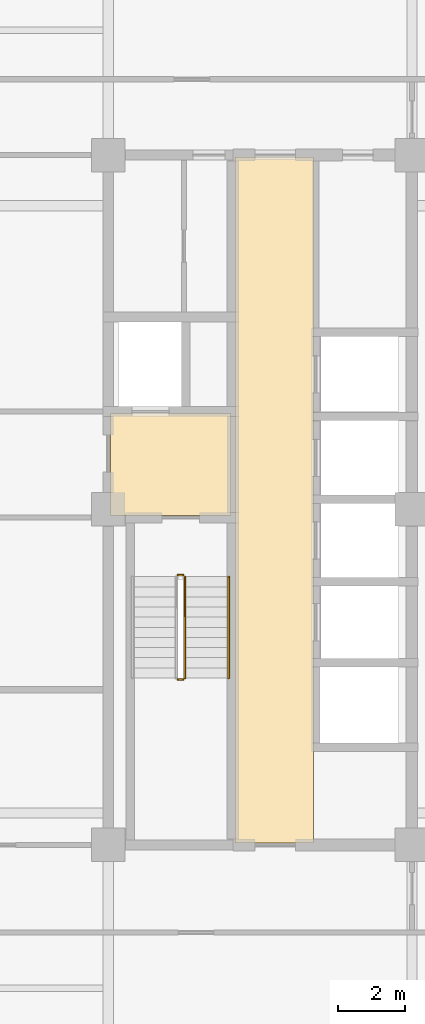
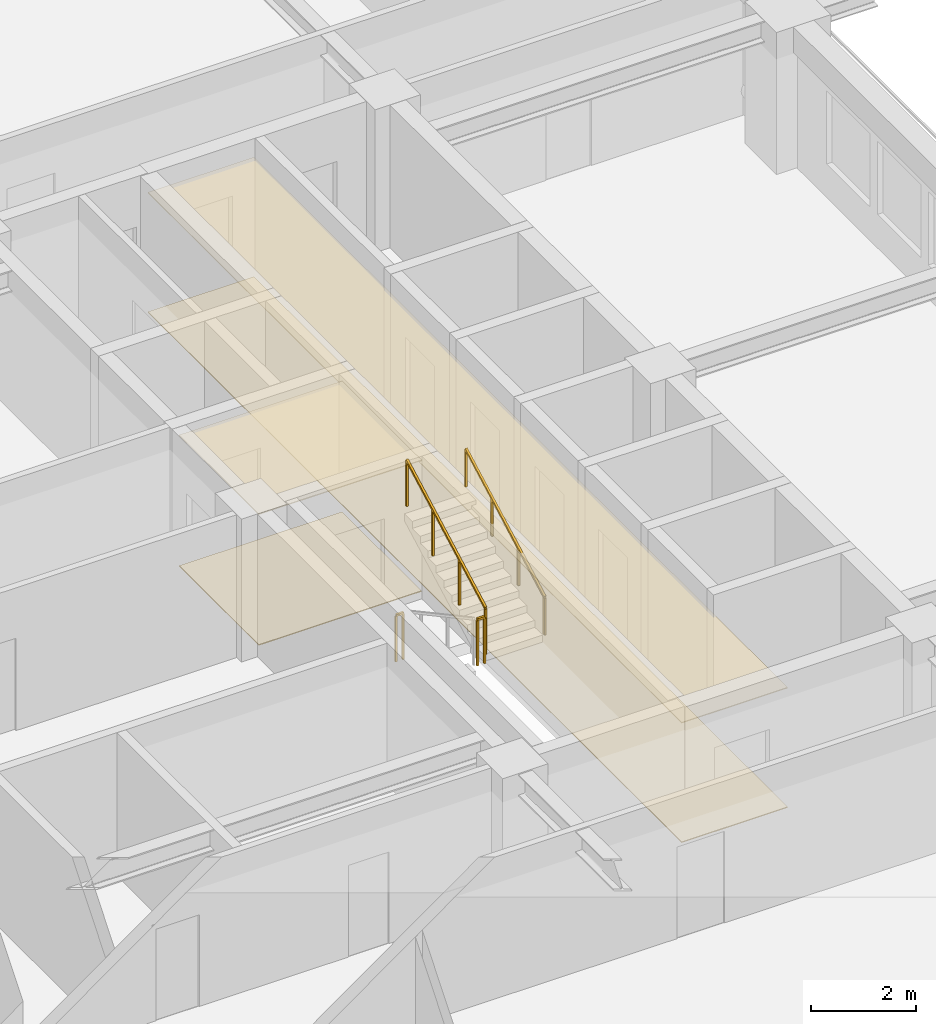
# One storey, part 13 of 14: 4 coverings, 4 railings.
"""IFC4 building model written with IfcOpenShell, lengths in metres."""

from ifc_helpers import new_model, si_unit, direction, frame, origin, origin_2d, place, context, subcontext, project, spatial, polyline, rectangle, outline, extrude, material, layer, layer_set, type_object, element, save


model = new_model("IFC4")

# Units and contexts
model_context = context("Model", 3, precision=1e-05, world=origin(), true_north=direction((0.0, 1.0)))
body_context = subcontext(model_context, "Body", "Model", "MODEL_VIEW")
ifc_project = project(units=[si_unit("LENGTHUNIT", "METRE"), si_unit("AREAUNIT", "SQUARE_METRE"), si_unit("VOLUMEUNIT", "CUBIC_METRE"), si_unit("PLANEANGLEUNIT", "RADIAN"), si_unit("MASSUNIT", "GRAM", prefix="KILO")], contexts=[model_context])

# Site, building, storey
site_placement = place(None, origin())
site = spatial("IfcSite", under=ifc_project, at=site_placement, CompositionType="ELEMENT")
building_placement = place(site_placement, origin())
building = spatial("IfcBuilding", under=site, at=building_placement, Name="Zulmaris Gate Convention Tower", CompositionType="ELEMENT")
storey_placement = place(building_placement, frame((0.0, 0.0, 98.5)))
storey = spatial("IfcBuildingStorey", under=building, at=storey_placement, Name="L24", CompositionType="ELEMENT", Elevation=98.5)

# Coverings
ifc_material_1 = material(Name="Mineral Fibre Acoustic Ceiling Tile")
ifc_layer_1 = layer(ifc_material_1, 0.02001953125, Name="Mineral Fibre Acoustic Ceiling Tile")
ifc_layer_set_1 = layer_set([ifc_layer_1], Name="Mineral Fibre Acoustic Ceiling Tile")
covering_type_1 = type_object("IfcCoveringType", Name="CLG-ACOUSTIC-600", PredefinedType="CEILING", material=ifc_layer_set_1)
covering_1_placement = place(storey_placement, frame((0.0, 0.0, 3.039794921875)))
element("IfcCovering", 1, at=covering_1_placement, inside=storey, type_object=covering_type_1, Name="CLG-L24-R08", PredefinedType="CEILING", context=body_context, shape_type="SweptSolid", body=[
    extrude(outline(polyline([(11.06005859375, -0.18994140625), (14.639892578125, -0.18994140625), (14.639892578125, 2.840087890625), (11.06005859375, 2.840087890625), (11.06005859375, -0.18994140625)])), origin(), (0.0, 0.0, 1.0), 0.02001953125),
])
covering_2_placement = place(storey_placement, frame((0.0, 0.0, 2.77783203125)))
element("IfcCovering", 2, at=covering_2_placement, inside=storey, type_object=covering_type_1, Name="CLG-L24-R24", PredefinedType="CEILING", context=body_context, shape_type="SweptSolid", body=[
    extrude(outline(polyline([(14.760009765625, -9.889892578125), (17.090087890625, -9.889892578125), (17.090087890625, 10.43994140625), (14.760009765625, 10.43994140625), (14.760009765625, -9.889892578125)])), origin(), (0.0, 0.0, 1.0), 0.02001953125),
])
ifc_material_2 = material(Name="Woven Acoustic Wool Carpet Tile")
ifc_layer_2 = layer(ifc_material_2, 0.02001953125, Name="Woven Acoustic Wool Carpet Tile")
ifc_layer_set_2 = layer_set([ifc_layer_2], Name="Woven Acoustic Wool Carpet Tile")
covering_type_2 = type_object("IfcCoveringType", Name="FLR-CARPET-12", PredefinedType="FLOORING", material=ifc_layer_set_2)
covering_3_placement = place(storey_placement, origin())
element("IfcCovering", 3, at=covering_3_placement, inside=storey, type_object=covering_type_2, Name="FLR-L24-R08", PredefinedType="FLOORING", context=body_context, shape_type="SweptSolid", body=[
    extrude(outline(polyline([(11.06005859375, -0.18994140625), (14.639892578125, -0.18994140625), (14.639892578125, 2.840087890625), (11.06005859375, 2.840087890625), (11.06005859375, -0.18994140625)])), origin(), (0.0, 0.0, 1.0), 0.02001953125),
])
covering_4_placement = place(storey_placement, origin())
element("IfcCovering", 4, at=covering_4_placement, inside=storey, type_object=covering_type_2, Name="FLR-L24-R24", PredefinedType="FLOORING", context=body_context, shape_type="SweptSolid", body=[
    extrude(outline(polyline([(14.760009765625, -9.889892578125), (17.090087890625, -9.889892578125), (17.090087890625, 10.43994140625), (14.760009765625, 10.43994140625), (14.760009765625, -9.889892578125)])), origin(), (0.0, 0.0, 1.0), 0.02001953125),
])

# Railings
ifc_material_3 = material(Name="Painted Galvanised Steel", Category="steel")
railing_type_1 = type_object("IfcRailingType", Name="RL-STG-1150", PredefinedType="GUARDRAIL", material=ifc_material_3)
railing_1_placement = place(storey_placement, frame((13.06005859375, -5.050048828125, 1.784912109375)))
element("IfcRailing", 5, at=railing_1_placement, inside=storey, type_object=railing_type_1, Name="L24 ST-2 stair guard 2", PredefinedType="GUARDRAIL", context=body_context, shape_type="SweptSolid", body=[
    extrude(rectangle(XDim=0.048095703125, YDim=0.048095703125, at=origin_2d()), frame((0.0, 0.0, 1.076171875), z_axis=(1.0, 0.0, 0.0), x_axis=(0.0, 1.0, 0.0)), (0.0, 0.0, 1.0), 0.159912109375),
    extrude(rectangle(XDim=0.0419921875, YDim=0.0419921875, at=origin_2d()), origin(), (0.0, 0.0, 1.0), 1.052001953125),
    extrude(rectangle(XDim=0.0419921875, YDim=0.0419921875, at=origin_2d()), frame((0.159912109375, 0.0, 0.0)), (0.0, 0.0, 1.0), 1.052001953125),
])
railing_2_placement = place(storey_placement, frame((13.27001953125, -5.0, 1.947265625)))
element("IfcRailing", 6, at=railing_2_placement, inside=storey, type_object=railing_type_1, Name="L24 ST-2 stair guard 3", PredefinedType="GUARDRAIL", context=body_context, shape_type="SweptSolid", body=[
    extrude(rectangle(XDim=0.048095703125, YDim=0.048095703125, at=origin_2d()), frame((0.0, 0.0, 1.076171875), z_axis=(0.0, 0.879591569277, 0.475729619907), x_axis=(-1.0, 0.0, 0.0)), (0.0, 0.0, 1.0), 3.41064453125),
    extrude(rectangle(XDim=0.0419921875, YDim=0.0419921875, at=origin_2d()), origin(), (0.0, 0.0, 1.0), 1.052001953125),
    extrude(rectangle(XDim=0.0419921875, YDim=0.0419921875, at=origin_2d()), frame((0.0, 1.0, 0.540771484375)), (0.0, 0.0, 1.0), 1.052001953125),
    extrude(rectangle(XDim=0.0419921875, YDim=0.0419921875, at=origin_2d()), frame((0.0, 2.0, 1.081787109375)), (0.0, 0.0, 1.0), 1.052001953125),
    extrude(rectangle(XDim=0.0419921875, YDim=0.0419921875, at=origin_2d()), frame((0.0, 3.0, 1.62255859375)), (0.0, 0.0, 1.0), 1.052001953125),
])
railing_3_placement = place(storey_placement, frame((13.06005859375, -1.949951171875, 0.0)))
element("IfcRailing", 7, at=railing_3_placement, inside=storey, type_object=railing_type_1, Name="L24 ST-2 stair guard 4", PredefinedType="GUARDRAIL", context=body_context, shape_type="SweptSolid", body=[
    extrude(rectangle(XDim=0.048095703125, YDim=0.048095703125, at=origin_2d()), frame((0.0, 0.0, 1.076171875), z_axis=(1.0, 0.0, 0.0), x_axis=(0.0, 1.0, 0.0)), (0.0, 0.0, 1.0), 0.159912109375),
    extrude(rectangle(XDim=0.0419921875, YDim=0.0419921875, at=origin_2d()), origin(), (0.0, 0.0, 1.0), 1.052001953125),
    extrude(rectangle(XDim=0.0419921875, YDim=0.0419921875, at=origin_2d()), frame((0.159912109375, 0.0, 0.0)), (0.0, 0.0, 1.0), 1.052001953125),
])
ifc_material_4 = material(Name="Brushed Stainless Steel", Category="steel")
railing_type_2 = type_object("IfcRailingType", Name="RL-STH-900", PredefinedType="HANDRAIL", material=ifc_material_4)
railing_4_placement = place(storey_placement, frame((14.570068359375, -5.0, 1.947265625)))
element("IfcRailing", 8, at=railing_4_placement, inside=storey, type_object=railing_type_2, Name="L24 ST-2 stair handrail 2", PredefinedType="HANDRAIL", context=body_context, shape_type="SweptSolid", body=[
    extrude(rectangle(XDim=0.048095703125, YDim=0.048095703125, at=origin_2d()), frame((0.0, 0.0, 0.8759765625), z_axis=(0.0, 0.879591569277, 0.475729619907), x_axis=(-1.0, 0.0, 0.0)), (0.0, 0.0, 1.0), 3.41064453125),
    extrude(rectangle(XDim=0.0419921875, YDim=0.0419921875, at=origin_2d()), origin(), (0.0, 0.0, 1.0), 0.851806640625),
    extrude(rectangle(XDim=0.0419921875, YDim=0.0419921875, at=origin_2d()), frame((0.0, 1.0, 0.540771484375)), (0.0, 0.0, 1.0), 0.851806640625),
    extrude(rectangle(XDim=0.0419921875, YDim=0.0419921875, at=origin_2d()), frame((0.0, 2.0, 1.081787109375)), (0.0, 0.0, 1.0), 0.851806640625),
    extrude(rectangle(XDim=0.0419921875, YDim=0.0419921875, at=origin_2d()), frame((0.0, 3.0, 1.62255859375)), (0.0, 0.0, 1.0), 0.851806640625),
])

save(model, "model.ifc")
